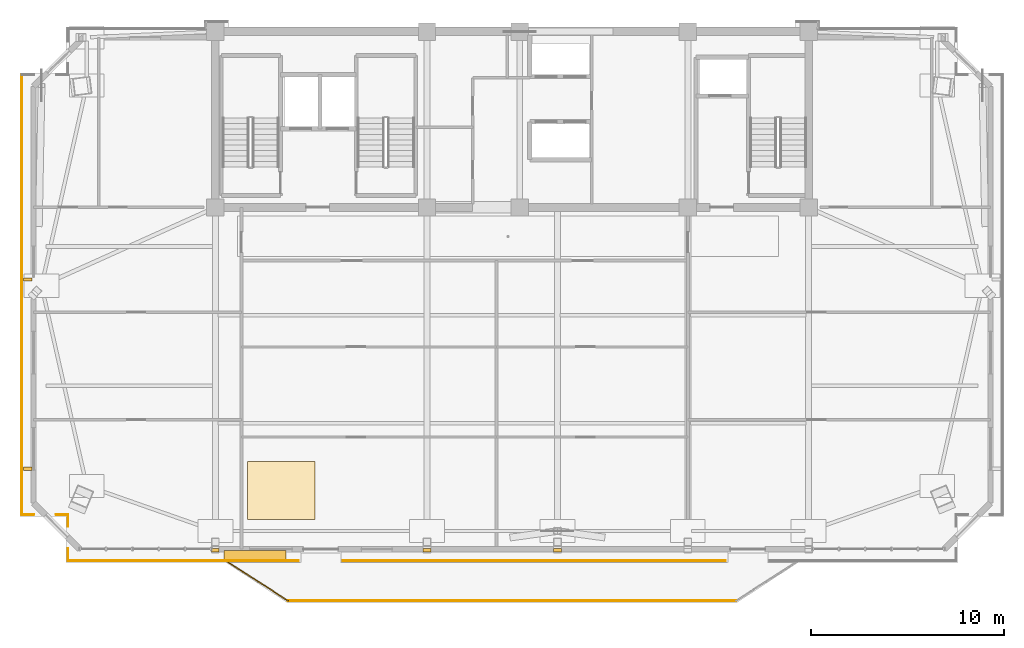
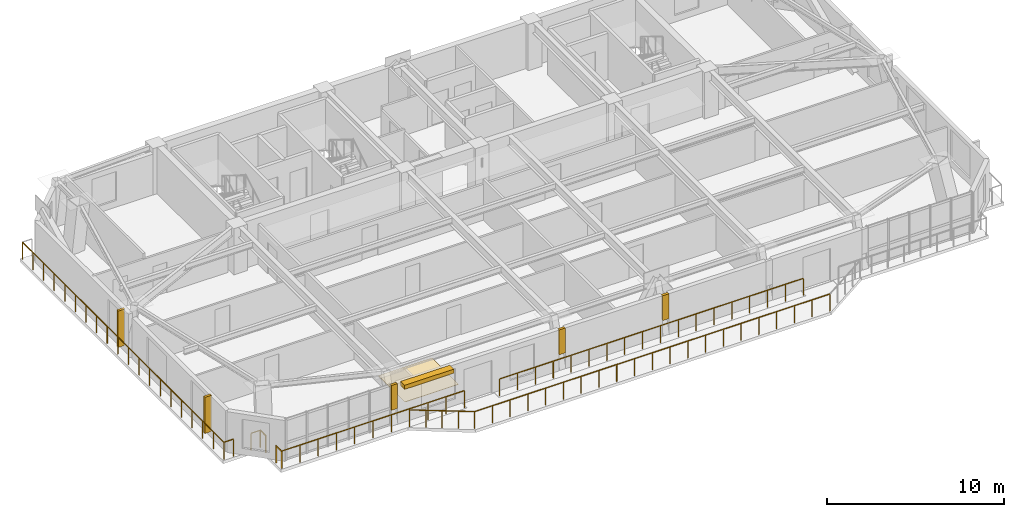
# One storey, part 11 of 14: 9 railings, 4 coverings, 3 shading devices.
"""IFC4 building model written with IfcOpenShell, lengths in metres."""

from ifc_helpers import new_model, si_unit, direction, frame, origin, origin_2d, place, context, subcontext, project, spatial, polyline, rectangle, outline, extrude, source, transform, mapped, material, layer, layer_set, type_object, element, save


model = new_model("IFC4")

# Units and contexts
model_context = context("Model", 3, precision=1e-05, world=origin(), true_north=direction((0.0, 1.0)))
body_context = subcontext(model_context, "Body", "Model", "MODEL_VIEW")
ifc_project = project(units=[si_unit("LENGTHUNIT", "METRE"), si_unit("AREAUNIT", "SQUARE_METRE"), si_unit("VOLUMEUNIT", "CUBIC_METRE"), si_unit("PLANEANGLEUNIT", "RADIAN"), si_unit("MASSUNIT", "GRAM", prefix="KILO")], contexts=[model_context])

# Site, building, storey
site_placement = place(None, origin())
site = spatial("IfcSite", under=ifc_project, at=site_placement, CompositionType="ELEMENT")
building_placement = place(site_placement, origin())
building = spatial("IfcBuilding", under=site, at=building_placement, Name="Giltprow Tower", CompositionType="ELEMENT")
storey_placement = place(building_placement, frame((0.0, 0.0, 310.800048828125)))
storey = spatial("IfcBuildingStorey", under=building, at=storey_placement, Name="L80", CompositionType="ELEMENT", Elevation=310.800048828125)

# Coverings
ifc_material_1 = material(Name="Engineered oak", Category="wood")
ifc_layer_1 = layer(ifc_material_1, 0.02490234375, Name="Engineered oak")
ifc_layer_set_1 = layer_set([ifc_layer_1], Name="Engineered oak")
covering_type_1 = type_object("IfcCoveringType", Name="COV-FLR-TIMBER", PredefinedType="FLOORING", material=ifc_layer_set_1)
covering_1_placement = place(storey_placement, origin())
element("IfcCovering", 1, at=covering_1_placement, inside=storey, type_object=covering_type_1, Name="L80 Residence Oak Parquet Flooring", PredefinedType="FLOORING", context=body_context, shape_type="SweptSolid", body=[
    extrude(outline(polyline([(21.5, 21.303955078125), (25.0, 21.303955078125), (25.0, 24.303955078125), (21.5, 24.303955078125), (21.5, 21.303955078125)])), origin(), (0.0, 0.0, 1.0), 0.02490234375),
])
ifc_material_2 = material(Name="Anodized bronze", Category="metal")
ifc_layer_2 = layer(ifc_material_2, 0.0400390625, Name="Anodized bronze")
ifc_layer_set_2 = layer_set([ifc_layer_2], Name="Anodized bronze")
covering_type_2 = type_object("IfcCoveringType", Name="COV-SOFFIT-BRONZE", PredefinedType="CLADDING", material=ifc_layer_set_2)
covering_2_placement = place(storey_placement, frame((0.0, 0.0, 1.099853515625)))
element("IfcCovering", 2, at=covering_2_placement, inside=storey, type_object=covering_type_2, Name="L80 Setback Pier Closure Cladding S-1", PredefinedType="CLADDING", context=body_context, shape_type="SweptSolid", body=[
    extrude(outline(polyline([(19.64990234375, 19.632080078125), (20.050048828125, 19.632080078125), (20.050048828125, 19.7919921875), (19.64990234375, 19.7919921875), (19.64990234375, 19.632080078125)])), origin(), (0.0, 0.0, 1.0), 1.715087890625),
])
covering_3_placement = place(storey_placement, frame((0.0, 0.0, 1.099853515625)))
element("IfcCovering", 3, at=covering_3_placement, inside=storey, type_object=covering_type_2, Name="L80 Setback Pier Closure Cladding S-2", PredefinedType="CLADDING", context=body_context, shape_type="SweptSolid", body=[
    extrude(outline(polyline([(30.60009765625, 19.632080078125), (31.0, 19.632080078125), (31.0, 19.7919921875), (30.60009765625, 19.7919921875), (30.60009765625, 19.632080078125)])), origin(), (0.0, 0.0, 1.0), 1.715087890625),
])
covering_4_placement = place(storey_placement, frame((0.0, 0.0, 1.099853515625)))
element("IfcCovering", 4, at=covering_4_placement, inside=storey, type_object=covering_type_2, Name="L80 Setback Pier Closure Cladding S-3", PredefinedType="CLADDING", context=body_context, shape_type="SweptSolid", body=[
    extrude(outline(polyline([(37.35009765625, 19.632080078125), (37.75, 19.632080078125), (37.75, 19.7919921875), (37.35009765625, 19.7919921875), (37.35009765625, 19.632080078125)])), origin(), (0.0, 0.0, 1.0), 1.715087890625),
])

# Railings
railing_type = type_object("IfcRailingType", Name="RAIL-BALC-GUARD-1200", PredefinedType="BALUSTRADE", material=ifc_material_2)
railing_1_placement = place(storey_placement, frame((20.52001953125, 19.072021484375, 0.0)))
element("IfcRailing", 5, at=railing_1_placement, inside=storey, type_object=railing_type, Name="L80 Waterfront Balcony Balustrade Seg 1", PredefinedType="BALUSTRADE", context=body_context, shape_type="SweptSolid", body=[
    extrude(rectangle(XDim=0.048095703125, YDim=0.048095703125, at=origin_2d()), frame((0.0, 0.0, 1.17578125), z_axis=(0.84277487735, -0.538266203757, 0.0), x_axis=(0.538266203757, 0.84277487735, 0.0)), (0.0, 0.0, 1.0), 3.678466796875),
    extrude(rectangle(XDim=0.0419921875, YDim=0.0419921875, at=origin_2d()), origin(), (0.0, 0.0, 1.0), 1.15185546875),
    extrude(rectangle(XDim=0.0419921875, YDim=0.0419921875, at=origin_2d()), frame((0.77490234375, -0.4951171875, 0.0)), (0.0, 0.0, 1.0), 1.15185546875),
    extrude(rectangle(XDim=0.0419921875, YDim=0.0419921875, at=origin_2d()), frame((1.550048828125, -0.989990234375, 0.0)), (0.0, 0.0, 1.0), 1.15185546875),
    extrude(rectangle(XDim=0.0419921875, YDim=0.0419921875, at=origin_2d()), frame((2.3251953125, -1.48486328125, 0.0)), (0.0, 0.0, 1.0), 1.15185546875),
    extrude(rectangle(XDim=0.0419921875, YDim=0.0419921875, at=origin_2d()), frame((3.10009765625, -1.97998046875, 0.0)), (0.0, 0.0, 1.0), 1.15185546875),
])
railing_2_placement = place(storey_placement, frame((23.6201171875, 17.092041015625, 0.0)))
element("IfcRailing", 6, at=railing_2_placement, inside=storey, type_object=railing_type, Name="L80 Waterfront Balcony Balustrade Seg 2", PredefinedType="BALUSTRADE", context=body_context, shape_type="SweptSolid", body=[
    extrude(rectangle(XDim=0.048095703125, YDim=0.048095703125, at=origin_2d()), frame((0.0, 0.0, 1.17578125), z_axis=(1.0, 0.0, 0.0), x_axis=(0.0, 1.0, 0.0)), (0.0, 0.0, 1.0), 23.159912109375),
    extrude(rectangle(XDim=0.0419921875, YDim=0.0419921875, at=origin_2d()), origin(), (0.0, 0.0, 1.0), 1.15185546875),
    extrude(rectangle(XDim=0.0419921875, YDim=0.0419921875, at=origin_2d()), frame((1.157958984375, 0.0, 0.0)), (0.0, 0.0, 1.0), 1.15185546875),
    extrude(rectangle(XDim=0.0419921875, YDim=0.0419921875, at=origin_2d()), frame((2.31591796875, 0.0, 0.0)), (0.0, 0.0, 1.0), 1.15185546875),
    extrude(rectangle(XDim=0.0419921875, YDim=0.0419921875, at=origin_2d()), frame((3.473876953125, 0.0, 0.0)), (0.0, 0.0, 1.0), 1.15185546875),
    extrude(rectangle(XDim=0.0419921875, YDim=0.0419921875, at=origin_2d()), frame((4.632080078125, 0.0, 0.0)), (0.0, 0.0, 1.0), 1.15185546875),
    extrude(rectangle(XDim=0.0419921875, YDim=0.0419921875, at=origin_2d()), frame((5.7900390625, 0.0, 0.0)), (0.0, 0.0, 1.0), 1.15185546875),
    extrude(rectangle(XDim=0.0419921875, YDim=0.0419921875, at=origin_2d()), frame((6.947998046875, 0.0, 0.0)), (0.0, 0.0, 1.0), 1.15185546875),
    extrude(rectangle(XDim=0.0419921875, YDim=0.0419921875, at=origin_2d()), frame((8.10595703125, 0.0, 0.0)), (0.0, 0.0, 1.0), 1.15185546875),
    extrude(rectangle(XDim=0.0419921875, YDim=0.0419921875, at=origin_2d()), frame((9.263916015625, 0.0, 0.0)), (0.0, 0.0, 1.0), 1.15185546875),
    extrude(rectangle(XDim=0.0419921875, YDim=0.0419921875, at=origin_2d()), frame((10.421875, 0.0, 0.0)), (0.0, 0.0, 1.0), 1.15185546875),
    extrude(rectangle(XDim=0.0419921875, YDim=0.0419921875, at=origin_2d()), frame((11.580078125, 0.0, 0.0)), (0.0, 0.0, 1.0), 1.15185546875),
    extrude(rectangle(XDim=0.0419921875, YDim=0.0419921875, at=origin_2d()), frame((12.738037109375, 0.0, 0.0)), (0.0, 0.0, 1.0), 1.15185546875),
    extrude(rectangle(XDim=0.0419921875, YDim=0.0419921875, at=origin_2d()), frame((13.89599609375, 0.0, 0.0)), (0.0, 0.0, 1.0), 1.15185546875),
    extrude(rectangle(XDim=0.0419921875, YDim=0.0419921875, at=origin_2d()), frame((15.053955078125, 0.0, 0.0)), (0.0, 0.0, 1.0), 1.15185546875),
    extrude(rectangle(XDim=0.0419921875, YDim=0.0419921875, at=origin_2d()), frame((16.2119140625, 0.0, 0.0)), (0.0, 0.0, 1.0), 1.15185546875),
    extrude(rectangle(XDim=0.0419921875, YDim=0.0419921875, at=origin_2d()), frame((17.369873046875, 0.0, 0.0)), (0.0, 0.0, 1.0), 1.15185546875),
    extrude(rectangle(XDim=0.0419921875, YDim=0.0419921875, at=origin_2d()), frame((18.52783203125, 0.0, 0.0)), (0.0, 0.0, 1.0), 1.15185546875),
    extrude(rectangle(XDim=0.0419921875, YDim=0.0419921875, at=origin_2d()), frame((19.68603515625, 0.0, 0.0)), (0.0, 0.0, 1.0), 1.15185546875),
    extrude(rectangle(XDim=0.0419921875, YDim=0.0419921875, at=origin_2d()), frame((20.843994140625, 0.0, 0.0)), (0.0, 0.0, 1.0), 1.15185546875),
    extrude(rectangle(XDim=0.0419921875, YDim=0.0419921875, at=origin_2d()), frame((22.001953125, 0.0, 0.0)), (0.0, 0.0, 1.0), 1.15185546875),
    extrude(rectangle(XDim=0.0419921875, YDim=0.0419921875, at=origin_2d()), frame((23.159912109375, 0.0, 0.0)), (0.0, 0.0, 1.0), 1.15185546875),
])
railing_3_placement = place(storey_placement, frame((46.25, 19.172119140625, 0.0)))
element("IfcRailing", 7, at=railing_3_placement, inside=storey, type_object=railing_type, Name="L80 Corner Apron Edge Balustrade 7", PredefinedType="BALUSTRADE", context=body_context, shape_type="SweptSolid", body=[
    extrude(rectangle(XDim=0.048095703125, YDim=0.048095703125, at=origin_2d()), frame((0.0, 0.0, 1.17578125), z_axis=(-1.0, 0.0, 0.0), x_axis=(0.0, -1.0, 0.0)), (0.0, 0.0, 1.0), 19.800048828125),
    extrude(rectangle(XDim=0.0419921875, YDim=0.0419921875, at=origin_2d()), origin(), (0.0, 0.0, 1.0), 1.15185546875),
    extrude(rectangle(XDim=0.0419921875, YDim=0.0419921875, at=origin_2d()), frame((-1.164794921875, 0.0, 0.0)), (0.0, 0.0, 1.0), 1.15185546875),
    extrude(rectangle(XDim=0.0419921875, YDim=0.0419921875, at=origin_2d()), frame((-2.329345703125, 0.0, 0.0)), (0.0, 0.0, 1.0), 1.15185546875),
    extrude(rectangle(XDim=0.0419921875, YDim=0.0419921875, at=origin_2d()), frame((-3.494140625, 0.0, 0.0)), (0.0, 0.0, 1.0), 1.15185546875),
    extrude(rectangle(XDim=0.0419921875, YDim=0.0419921875, at=origin_2d()), frame((-4.658935546875, 0.0, 0.0)), (0.0, 0.0, 1.0), 1.15185546875),
    extrude(rectangle(XDim=0.0419921875, YDim=0.0419921875, at=origin_2d()), frame((-5.823486328125, 0.0, 0.0)), (0.0, 0.0, 1.0), 1.15185546875),
    extrude(rectangle(XDim=0.0419921875, YDim=0.0419921875, at=origin_2d()), frame((-6.98828125, 0.0, 0.0)), (0.0, 0.0, 1.0), 1.15185546875),
    extrude(rectangle(XDim=0.0419921875, YDim=0.0419921875, at=origin_2d()), frame((-8.153076171875, 0.0, 0.0)), (0.0, 0.0, 1.0), 1.15185546875),
    extrude(rectangle(XDim=0.0419921875, YDim=0.0419921875, at=origin_2d()), frame((-9.317626953125, 0.0, 0.0)), (0.0, 0.0, 1.0), 1.15185546875),
    extrude(rectangle(XDim=0.0419921875, YDim=0.0419921875, at=origin_2d()), frame((-10.482421875, 0.0, 0.0)), (0.0, 0.0, 1.0), 1.15185546875),
    extrude(rectangle(XDim=0.0419921875, YDim=0.0419921875, at=origin_2d()), frame((-11.64697265625, 0.0, 0.0)), (0.0, 0.0, 1.0), 1.15185546875),
    extrude(rectangle(XDim=0.0419921875, YDim=0.0419921875, at=origin_2d()), frame((-12.811767578125, 0.0, 0.0)), (0.0, 0.0, 1.0), 1.15185546875),
    extrude(rectangle(XDim=0.0419921875, YDim=0.0419921875, at=origin_2d()), frame((-13.9765625, 0.0, 0.0)), (0.0, 0.0, 1.0), 1.15185546875),
    extrude(rectangle(XDim=0.0419921875, YDim=0.0419921875, at=origin_2d()), frame((-15.14111328125, 0.0, 0.0)), (0.0, 0.0, 1.0), 1.15185546875),
    extrude(rectangle(XDim=0.0419921875, YDim=0.0419921875, at=origin_2d()), frame((-16.305908203125, 0.0, 0.0)), (0.0, 0.0, 1.0), 1.15185546875),
    extrude(rectangle(XDim=0.0419921875, YDim=0.0419921875, at=origin_2d()), frame((-17.470703125, 0.0, 0.0)), (0.0, 0.0, 1.0), 1.15185546875),
    extrude(rectangle(XDim=0.0419921875, YDim=0.0419921875, at=origin_2d()), frame((-18.63525390625, 0.0, 0.0)), (0.0, 0.0, 1.0), 1.15185546875),
    extrude(rectangle(XDim=0.0419921875, YDim=0.0419921875, at=origin_2d()), frame((-19.800048828125, 0.0, 0.0)), (0.0, 0.0, 1.0), 1.15185546875),
])
railing_4_placement = place(storey_placement, frame((24.14990234375, 19.172119140625, 0.0)))
element("IfcRailing", 8, at=railing_4_placement, inside=storey, type_object=railing_type, Name="L80 Corner Apron Edge Balustrade 8", PredefinedType="BALUSTRADE", context=body_context, shape_type="SweptSolid", body=[
    extrude(rectangle(XDim=0.048095703125, YDim=0.048095703125, at=origin_2d()), frame((0.0, 0.0, 1.17578125), z_axis=(-1.0, 0.0, 0.0), x_axis=(0.0, -1.0, 0.0)), (0.0, 0.0, 1.0), 11.9248046875),
    extrude(rectangle(XDim=0.0419921875, YDim=0.0419921875, at=origin_2d()), origin(), (0.0, 0.0, 1.0), 1.15185546875),
    extrude(rectangle(XDim=0.0419921875, YDim=0.0419921875, at=origin_2d()), frame((-1.1923828125, 0.0, 0.0)), (0.0, 0.0, 1.0), 1.15185546875),
    extrude(rectangle(XDim=0.0419921875, YDim=0.0419921875, at=origin_2d()), frame((-2.385009765625, 0.0, 0.0)), (0.0, 0.0, 1.0), 1.15185546875),
    extrude(rectangle(XDim=0.0419921875, YDim=0.0419921875, at=origin_2d()), frame((-3.577392578125, 0.0, 0.0)), (0.0, 0.0, 1.0), 1.15185546875),
    extrude(rectangle(XDim=0.0419921875, YDim=0.0419921875, at=origin_2d()), frame((-4.77001953125, 0.0, 0.0)), (0.0, 0.0, 1.0), 1.15185546875),
    extrude(rectangle(XDim=0.0419921875, YDim=0.0419921875, at=origin_2d()), frame((-5.96240234375, 0.0, 0.0)), (0.0, 0.0, 1.0), 1.15185546875),
    extrude(rectangle(XDim=0.0419921875, YDim=0.0419921875, at=origin_2d()), frame((-7.15478515625, 0.0, 0.0)), (0.0, 0.0, 1.0), 1.15185546875),
    extrude(rectangle(XDim=0.0419921875, YDim=0.0419921875, at=origin_2d()), frame((-8.347412109375, 0.0, 0.0)), (0.0, 0.0, 1.0), 1.15185546875),
    extrude(rectangle(XDim=0.0419921875, YDim=0.0419921875, at=origin_2d()), frame((-9.539794921875, 0.0, 0.0)), (0.0, 0.0, 1.0), 1.15185546875),
    extrude(rectangle(XDim=0.0419921875, YDim=0.0419921875, at=origin_2d()), frame((-10.732421875, 0.0, 0.0)), (0.0, 0.0, 1.0), 1.15185546875),
    extrude(rectangle(XDim=0.0419921875, YDim=0.0419921875, at=origin_2d()), frame((-11.9248046875, 0.0, 0.0)), (0.0, 0.0, 1.0), 1.15185546875),
])
railing_5_placement = place(storey_placement, frame((12.22509765625, 19.172119140625, 0.0)))
element("IfcRailing", 9, at=railing_5_placement, inside=storey, type_object=railing_type, Name="L80 Corner Apron Edge Balustrade 9", PredefinedType="BALUSTRADE", context=body_context, shape_type="SweptSolid", body=[
    extrude(rectangle(XDim=0.048095703125, YDim=0.048095703125, at=origin_2d()), frame((0.0, 0.0, 1.17578125), z_axis=(0.0, 1.0, 0.0), x_axis=(-1.0, 0.0, 0.0)), (0.0, 0.0, 1.0), 0.619873046875),
    extrude(rectangle(XDim=0.0419921875, YDim=0.0419921875, at=origin_2d()), origin(), (0.0, 0.0, 1.0), 1.15185546875),
    extrude(rectangle(XDim=0.0419921875, YDim=0.0419921875, at=origin_2d()), frame((0.0, 0.619873046875, 0.0)), (0.0, 0.0, 1.0), 1.15185546875),
])
railing_6_placement = place(storey_placement, frame((12.22509765625, 20.951904296875, 0.0)))
element("IfcRailing", 10, at=railing_6_placement, inside=storey, type_object=railing_type, Name="L80 Corner Apron Edge Balustrade 10", PredefinedType="BALUSTRADE", context=body_context, shape_type="SweptSolid", body=[
    extrude(rectangle(XDim=0.048095703125, YDim=0.048095703125, at=origin_2d()), frame((0.0, 0.0, 1.17578125), z_axis=(0.0, 1.0, 0.0), x_axis=(-1.0, 0.0, 0.0)), (0.0, 0.0, 1.0), 0.60498046875),
    extrude(rectangle(XDim=0.0419921875, YDim=0.0419921875, at=origin_2d()), origin(), (0.0, 0.0, 1.0), 1.15185546875),
    extrude(rectangle(XDim=0.0419921875, YDim=0.0419921875, at=origin_2d()), frame((0.0, 0.60498046875, 0.0)), (0.0, 0.0, 1.0), 1.15185546875),
])
railing_7_placement = place(storey_placement, frame((12.22509765625, 21.556884765625, 0.0)))
element("IfcRailing", 11, at=railing_7_placement, inside=storey, type_object=railing_type, Name="L80 Corner Apron Edge Balustrade 11", PredefinedType="BALUSTRADE", context=body_context, shape_type="SweptSolid", body=[
    extrude(rectangle(XDim=0.048095703125, YDim=0.048095703125, at=origin_2d()), frame((0.0, 0.0, 1.17578125), z_axis=(-1.0, 0.0, 0.0), x_axis=(0.0, -1.0, 0.0)), (0.0, 0.0, 1.0), 0.60498046875),
    extrude(rectangle(XDim=0.0419921875, YDim=0.0419921875, at=origin_2d()), origin(), (0.0, 0.0, 1.0), 1.15185546875),
    extrude(rectangle(XDim=0.0419921875, YDim=0.0419921875, at=origin_2d()), frame((-0.60498046875, 0.0, 0.0)), (0.0, 0.0, 1.0), 1.15185546875),
])
railing_8_placement = place(storey_placement, frame((10.4599609375, 21.556884765625, 0.0)))
element("IfcRailing", 12, at=railing_8_placement, inside=storey, type_object=railing_type, Name="L80 Corner Apron Edge Balustrade 12", PredefinedType="BALUSTRADE", context=body_context, shape_type="SweptSolid", body=[
    extrude(rectangle(XDim=0.048095703125, YDim=0.048095703125, at=origin_2d()), frame((0.0, 0.0, 1.17578125), z_axis=(-1.0, 0.0, 0.0), x_axis=(0.0, -1.0, 0.0)), (0.0, 0.0, 1.0), 0.619873046875),
    extrude(rectangle(XDim=0.0419921875, YDim=0.0419921875, at=origin_2d()), origin(), (0.0, 0.0, 1.0), 1.15185546875),
    extrude(rectangle(XDim=0.0419921875, YDim=0.0419921875, at=origin_2d()), frame((-0.619873046875, 0.0, 0.0)), (0.0, 0.0, 1.0), 1.15185546875),
])
railing_9_placement = place(storey_placement, frame((9.840087890625, 21.556884765625, 0.0)))
element("IfcRailing", 13, at=railing_9_placement, inside=storey, type_object=railing_type, Name="L80 Corner Apron Edge Balustrade 13", PredefinedType="BALUSTRADE", context=body_context, shape_type="SweptSolid", body=[
    extrude(rectangle(XDim=0.048095703125, YDim=0.048095703125, at=origin_2d()), frame((0.0, 0.0, 1.17578125), z_axis=(0.0, 1.0, 0.0), x_axis=(-1.0, 0.0, 0.0)), (0.0, 0.0, 1.0), 22.758056640625),
    extrude(rectangle(XDim=0.0419921875, YDim=0.0419921875, at=origin_2d()), origin(), (0.0, 0.0, 1.0), 1.15185546875),
    extrude(rectangle(XDim=0.0419921875, YDim=0.0419921875, at=origin_2d()), frame((0.0, 1.19775390625, 0.0)), (0.0, 0.0, 1.0), 1.15185546875),
    extrude(rectangle(XDim=0.0419921875, YDim=0.0419921875, at=origin_2d()), frame((0.0, 2.3955078125, 0.0)), (0.0, 0.0, 1.0), 1.15185546875),
    extrude(rectangle(XDim=0.0419921875, YDim=0.0419921875, at=origin_2d()), frame((0.0, 3.59326171875, 0.0)), (0.0, 0.0, 1.0), 1.15185546875),
    extrude(rectangle(XDim=0.0419921875, YDim=0.0419921875, at=origin_2d()), frame((0.0, 4.791259765625, 0.0)), (0.0, 0.0, 1.0), 1.15185546875),
    extrude(rectangle(XDim=0.0419921875, YDim=0.0419921875, at=origin_2d()), frame((0.0, 5.989013671875, 0.0)), (0.0, 0.0, 1.0), 1.15185546875),
    extrude(rectangle(XDim=0.0419921875, YDim=0.0419921875, at=origin_2d()), frame((0.0, 7.186767578125, 0.0)), (0.0, 0.0, 1.0), 1.15185546875),
    extrude(rectangle(XDim=0.0419921875, YDim=0.0419921875, at=origin_2d()), frame((0.0, 8.384521484375, 0.0)), (0.0, 0.0, 1.0), 1.15185546875),
    extrude(rectangle(XDim=0.0419921875, YDim=0.0419921875, at=origin_2d()), frame((0.0, 9.582275390625, 0.0)), (0.0, 0.0, 1.0), 1.15185546875),
    extrude(rectangle(XDim=0.0419921875, YDim=0.0419921875, at=origin_2d()), frame((0.0, 10.780029296875, 0.0)), (0.0, 0.0, 1.0), 1.15185546875),
    extrude(rectangle(XDim=0.0419921875, YDim=0.0419921875, at=origin_2d()), frame((0.0, 11.97802734375, 0.0)), (0.0, 0.0, 1.0), 1.15185546875),
    extrude(rectangle(XDim=0.0419921875, YDim=0.0419921875, at=origin_2d()), frame((0.0, 13.17578125, 0.0)), (0.0, 0.0, 1.0), 1.15185546875),
    extrude(rectangle(XDim=0.0419921875, YDim=0.0419921875, at=origin_2d()), frame((0.0, 14.37353515625, 0.0)), (0.0, 0.0, 1.0), 1.15185546875),
    extrude(rectangle(XDim=0.0419921875, YDim=0.0419921875, at=origin_2d()), frame((0.0, 15.5712890625, 0.0)), (0.0, 0.0, 1.0), 1.15185546875),
    extrude(rectangle(XDim=0.0419921875, YDim=0.0419921875, at=origin_2d()), frame((0.0, 16.76904296875, 0.0)), (0.0, 0.0, 1.0), 1.15185546875),
    extrude(rectangle(XDim=0.0419921875, YDim=0.0419921875, at=origin_2d()), frame((0.0, 17.966796875, 0.0)), (0.0, 0.0, 1.0), 1.15185546875),
    extrude(rectangle(XDim=0.0419921875, YDim=0.0419921875, at=origin_2d()), frame((0.0, 19.164794921875, 0.0)), (0.0, 0.0, 1.0), 1.15185546875),
    extrude(rectangle(XDim=0.0419921875, YDim=0.0419921875, at=origin_2d()), frame((0.0, 20.362548828125, 0.0)), (0.0, 0.0, 1.0), 1.15185546875),
    extrude(rectangle(XDim=0.0419921875, YDim=0.0419921875, at=origin_2d()), frame((0.0, 21.560302734375, 0.0)), (0.0, 0.0, 1.0), 1.15185546875),
    extrude(rectangle(XDim=0.0419921875, YDim=0.0419921875, at=origin_2d()), frame((0.0, 22.758056640625, 0.0)), (0.0, 0.0, 1.0), 1.15185546875),
])

# Shading devices
shading_device_type_1 = type_object("IfcShadingDeviceType", Name="SHD-FIN-420", PredefinedType="USERDEFINED", material=ifc_material_2)
shared_shape_1 = source(origin(), body_context, "Body", "SweptSolid", [
    extrude(rectangle(XDim=0.419921875, YDim=0.159912109375, at=origin_2d()), origin(), (0.0, 0.0, 1.0), 2.5),
])
for number, where, z_axis, x_axis, name in (
    (14, (10.139892578125, 23.927978515625, 0.349853515625), (0.0, 0.0, 1.0), (1.0, 0.0, 0.0), "L80 W Bronze Vertical Fin 1-1"),
    (15, (10.139892578125, 33.72802734375, 0.349853515625), (0.0, 0.0, 1.0), (1.0, 0.0, 0.0), "L80 W Bronze Vertical Fin 2-1"),
):
    element("IfcShadingDevice", number, at=place(storey_placement, frame(where, z_axis=z_axis, x_axis=x_axis)), inside=storey, type_object=shading_device_type_1, Name=name, ObjectType="FIN", PredefinedType="USERDEFINED", context=body_context, shape_type="MappedRepresentation", body=[
        mapped(shared_shape_1, transform((0.0, 0.0, 0.0), x_axis=(1.0, 0.0, 0.0), y_axis=(0.0, 1.0, 0.0), z_axis=(0.0, 0.0, 1.0), scale=1.0)),
    ])
shading_device_type_2 = type_object("IfcShadingDeviceType", Name="SHD-LOUVRE-320", PredefinedType="JALOUSIE", material=ifc_material_2)
shared_shape_2 = source(origin(), body_context, "Body", "SweptSolid", [
    extrude(rectangle(XDim=3.199951171875, YDim=0.449951171875, at=origin_2d()), origin(), (0.0, 0.0, 1.0), 0.280029296875),
])
shading_device_placement = place(storey_placement, frame((21.89990234375, 19.471923828125, 2.56005859375), z_axis=(0.0, 0.0, 1.0), x_axis=(1.0, 0.0, 0.0)))
element("IfcShadingDevice", 16, at=shading_device_placement, inside=storey, type_object=shading_device_type_2, Name="L80 Bronze Sunshade Louvre S-2", PredefinedType="JALOUSIE", context=body_context, shape_type="MappedRepresentation", body=[
    mapped(shared_shape_2, transform((0.0, 0.0, 0.0), x_axis=(1.0, 0.0, 0.0), y_axis=(0.0, 1.0, 0.0), z_axis=(0.0, 0.0, 1.0), scale=1.0)),
])

save(model, "model.ifc")
